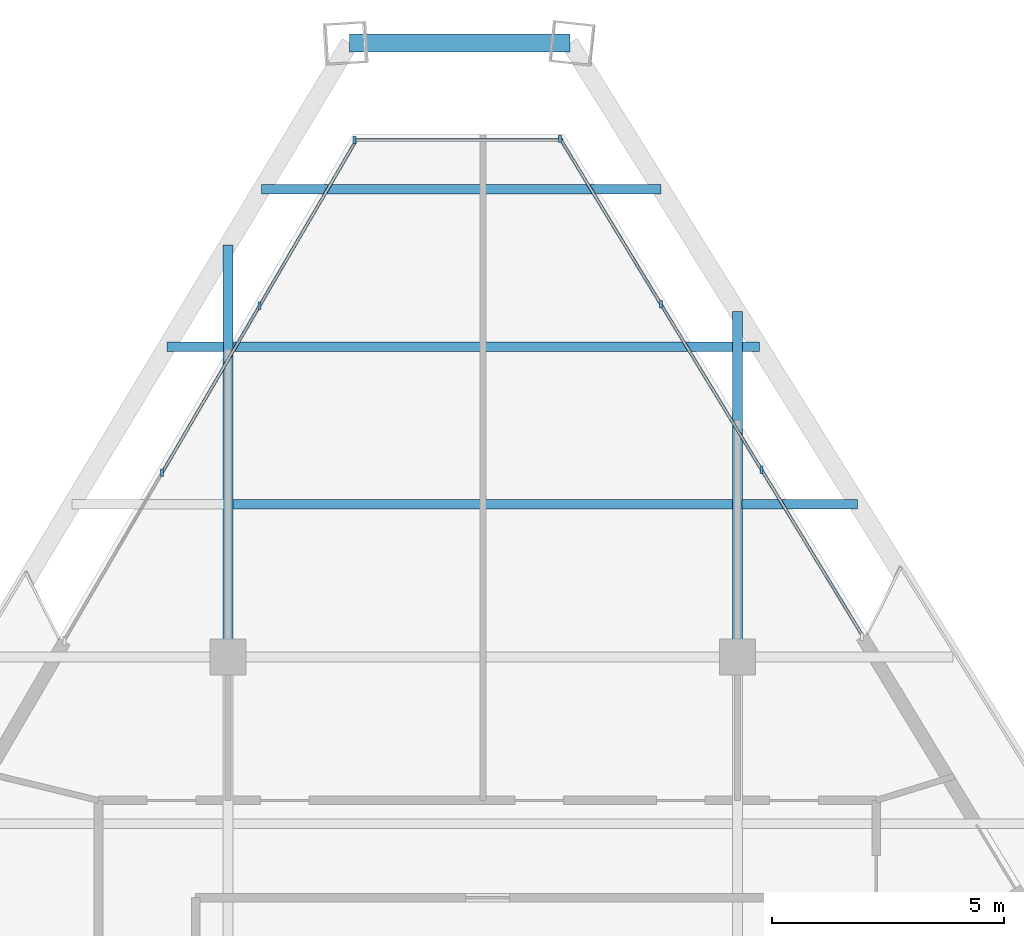
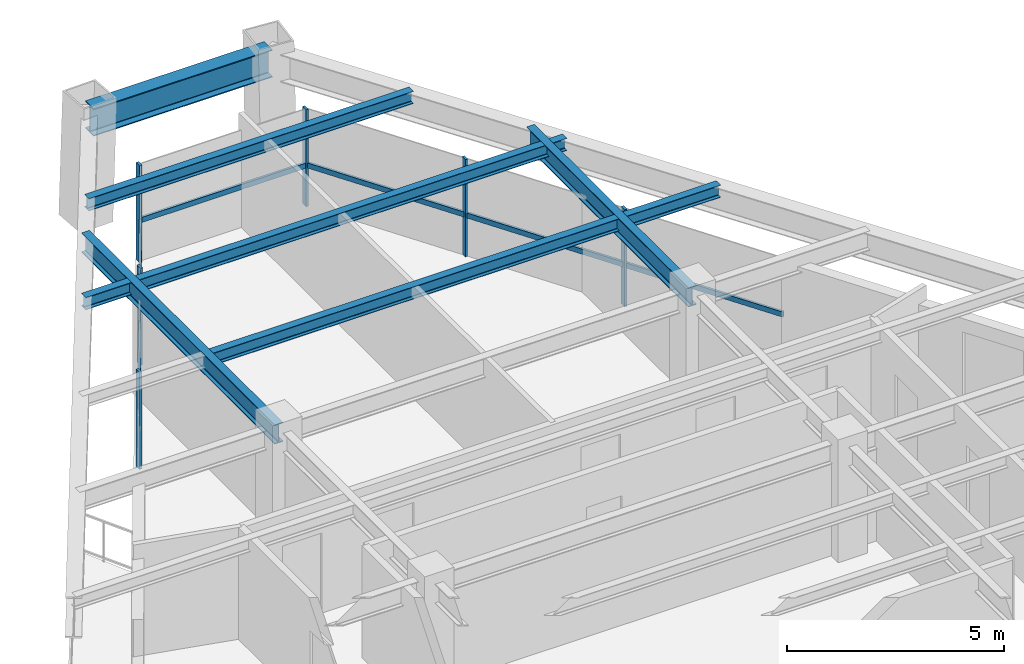
# One storey, part 7 of 13: 12 members, 8 beams, 3 elements without a shape of their own.
"""IFC4 building model written with IfcOpenShell, lengths in metres."""

from ifc_helpers import new_model, si_unit, direction, frame, origin, origin_2d, place, context, subcontext, project, spatial, rectangle, i_section, extrude, source, transform, mapped, material, material_profile, profile_set, type_object, element, aggregate, save


model = new_model("IFC4")

# Units and contexts
model_context = context("Model", 3, precision=1e-05, world=origin(), true_north=direction((0.0, 1.0)))
body_context = subcontext(model_context, "Body", "Model", "MODEL_VIEW")
ifc_project = project(units=[si_unit("LENGTHUNIT", "METRE"), si_unit("AREAUNIT", "SQUARE_METRE"), si_unit("VOLUMEUNIT", "CUBIC_METRE"), si_unit("PLANEANGLEUNIT", "RADIAN"), si_unit("MASSUNIT", "GRAM", prefix="KILO")], contexts=[model_context])

# Site, building, storey
site_placement = place(None, origin())
site = spatial("IfcSite", under=ifc_project, at=site_placement, CompositionType="ELEMENT")
building_placement = place(site_placement, origin())
building = spatial("IfcBuilding", under=site, at=building_placement, Name="Varnakhor Terracotta Tower", CompositionType="ELEMENT")
storey_placement = place(building_placement, frame((0.0, 0.0, 254.5)))
storey = spatial("IfcBuildingStorey", under=building, at=storey_placement, Name="L66", CompositionType="ELEMENT", Elevation=254.5)

# Beams
ifc_material_1 = material(Name="Steel S355", Category="steel")
ifc_material_profile_1 = material_profile(ifc_material_1, i_section(OverallWidth=0.202880859375, OverallDepth=0.346923828125, WebThickness=0.0078125, FlangeThickness=0.013427734375, FilletRadius=0.01806640625, at=origin_2d()), Name="W14X43")
ifc_profile_set_1 = profile_set([ifc_material_profile_1], Name="Steel S355")
beam_type_1 = type_object("IfcBeamType", Name="JST-W14X43", PredefinedType="JOIST", material=ifc_profile_set_1)
shared_shape_1 = source(origin(), body_context, "Body", "SweptSolid", [
    extrude(i_section(OverallWidth=0.202880859375, OverallDepth=0.346923828125, WebThickness=0.0078125, FlangeThickness=0.013427734375, FilletRadius=0.01806640625, at=origin_2d()), origin(), (0.0, 0.0, 1.0), 10.7939453125),
])
beam_1_placement = place(storey_placement, frame((-5.39697265625, 34.800048828125, 2.9765625), z_axis=(1.0, 0.0, 0.0), x_axis=(0.0, 1.0, 0.0)))
element("IfcBeam", 1, at=beam_1_placement, inside=storey, type_object=beam_type_1, Name="L66 Composite Floor Joist 7-2", PredefinedType="JOIST", context=body_context, shape_type="MappedRepresentation", body=[
    mapped(shared_shape_1, transform((0.0, 0.0, 0.0), scale=1.0)),
])
ifc_material_profile_2 = material_profile(ifc_material_1, i_section(OverallWidth=0.381103515625, OverallDepth=0.77294921875, WebThickness=0.01708984375, FlangeThickness=0.027099609375, FilletRadius=0.01806640625, at=origin_2d()), Name="W30X173")
ifc_profile_set_2 = profile_set([ifc_material_profile_2], Name="Steel S355")
beam_type_2 = type_object("IfcBeamType", Name="BM-W30X173", PredefinedType="BEAM", material=ifc_profile_set_2)
shared_shape_2 = source(origin(), body_context, "Body", "SweptSolid", [
    extrude(i_section(OverallWidth=0.381103515625, OverallDepth=0.77294921875, WebThickness=0.01708984375, FlangeThickness=0.027099609375, FilletRadius=0.01806640625, at=origin_2d()), origin(), (0.0, 0.0, 1.0), 4.752685546875),
])
beam_2_placement = place(storey_placement, frame((1.879150390625, 44.7587890625, 2.763427734375), z_axis=(-1.0, 0.0, 0.0), x_axis=(0.0, -1.0, 0.0)))
element("IfcBeam", 2, at=beam_2_placement, inside=storey, type_object=beam_type_2, Name="L66 Perimeter Spandrel 5", PredefinedType="BEAM", context=body_context, shape_type="MappedRepresentation", body=[
    mapped(shared_shape_2, transform((0.0, 0.0, 0.0), scale=1.0)),
])
ifc_material_profile_3 = material_profile(ifc_material_1, i_section(OverallWidth=0.214111328125, OverallDepth=0.549072265625, WebThickness=0.014892578125, FlangeThickness=0.02392578125, FilletRadius=0.01806640625, at=origin_2d()), Name="W21X93")
ifc_profile_set_3 = profile_set([ifc_material_profile_3], Name="Steel S355")
beam_type_3 = type_object("IfcBeamType", Name="BM-W21X93", PredefinedType="BEAM", material=ifc_profile_set_3)
shared_shape_3 = source(origin(), body_context, "Body", "SweptSolid", [
    extrude(i_section(OverallWidth=0.214111328125, OverallDepth=0.549072265625, WebThickness=0.014892578125, FlangeThickness=0.02392578125, FilletRadius=0.01806640625, at=origin_2d()), origin(), (0.0, 0.0, 1.0), 8.8974609375),
])
beam_3_placement = place(storey_placement, frame((-5.5, 31.5, 2.87548828125), z_axis=(0.0, 1.0, 0.0), x_axis=(-1.0, 0.0, 0.0)))
element("IfcBeam", 3, at=beam_3_placement, inside=storey, type_object=beam_type_3, Name="L66 Primary Girder NS3-W", PredefinedType="BEAM", context=body_context, shape_type="MappedRepresentation", body=[
    mapped(shared_shape_3, transform((0.0, 0.0, 0.0), scale=1.0)),
])
shared_shape_4 = source(origin(), body_context, "Body", "SweptSolid", [
    extrude(i_section(OverallWidth=0.214111328125, OverallDepth=0.549072265625, WebThickness=0.014892578125, FlangeThickness=0.02392578125, FilletRadius=0.01806640625, at=origin_2d()), origin(), (0.0, 0.0, 1.0), 7.459716796875),
])
beam_4_placement = place(storey_placement, frame((5.5, 31.5, 2.87548828125), z_axis=(0.0, 1.0, 0.0), x_axis=(-1.0, 0.0, 0.0)))
element("IfcBeam", 4, at=beam_4_placement, inside=storey, type_object=beam_type_3, Name="L66 Primary Girder NS3-E", PredefinedType="BEAM", context=body_context, shape_type="MappedRepresentation", body=[
    mapped(shared_shape_4, transform((0.0, 0.0, 0.0), scale=1.0)),
])
shared_shape_5 = source(origin(), body_context, "Body", "SweptSolid", [
    extrude(i_section(OverallWidth=0.202880859375, OverallDepth=0.346923828125, WebThickness=0.0078125, FlangeThickness=0.013427734375, FilletRadius=0.01806640625, at=origin_2d()), origin(), (0.0, 0.0, 1.0), 2.494384765625),
])
beam_5_placement = place(storey_placement, frame((5.60302734375, 34.800048828125, 2.9765625), z_axis=(1.0, 0.0, 0.0), x_axis=(0.0, 1.0, 0.0)))
element("IfcBeam", 5, at=beam_5_placement, inside=storey, type_object=beam_type_1, Name="L66 Composite Floor Joist 7-3", PredefinedType="JOIST", context=body_context, shape_type="MappedRepresentation", body=[
    mapped(shared_shape_5, transform((0.0, 0.0, 0.0), scale=1.0)),
])
shared_shape_6 = source(origin(), body_context, "Body", "SweptSolid", [
    extrude(i_section(OverallWidth=0.202880859375, OverallDepth=0.346923828125, WebThickness=0.0078125, FlangeThickness=0.013427734375, FilletRadius=0.01806640625, at=origin_2d()), origin(), (0.0, 0.0, 1.0), 1.22021484375),
])
beam_6_placement = place(storey_placement, frame((-6.8232421875, 38.199951171875, 2.9765625), z_axis=(1.0, 0.0, 0.0), x_axis=(0.0, 1.0, 0.0)))
element("IfcBeam", 6, at=beam_6_placement, inside=storey, type_object=beam_type_1, Name="L66 Composite Floor Joist 8-1", PredefinedType="JOIST", context=body_context, shape_type="MappedRepresentation", body=[
    mapped(shared_shape_6, transform((0.0, 0.0, 0.0), scale=1.0)),
])
shared_shape_7 = source(origin(), body_context, "Body", "SweptSolid", [
    extrude(i_section(OverallWidth=0.202880859375, OverallDepth=0.346923828125, WebThickness=0.0078125, FlangeThickness=0.013427734375, FilletRadius=0.01806640625, at=origin_2d()), origin(), (0.0, 0.0, 1.0), 11.371337890625),
])
beam_7_placement = place(storey_placement, frame((-5.39697265625, 38.199951171875, 2.9765625), z_axis=(1.0, 0.0, 0.0), x_axis=(0.0, 1.0, 0.0)))
element("IfcBeam", 7, at=beam_7_placement, inside=storey, type_object=beam_type_1, Name="L66 Composite Floor Joist 8-2", PredefinedType="JOIST", context=body_context, shape_type="MappedRepresentation", body=[
    mapped(shared_shape_7, transform((0.0, 0.0, 0.0), scale=1.0)),
])
shared_shape_8 = source(origin(), body_context, "Body", "SweptSolid", [
    extrude(i_section(OverallWidth=0.202880859375, OverallDepth=0.346923828125, WebThickness=0.0078125, FlangeThickness=0.013427734375, FilletRadius=0.01806640625, at=origin_2d()), origin(), (0.0, 0.0, 1.0), 8.62744140625),
])
beam_8_placement = place(storey_placement, frame((-4.77587890625, 41.60009765625, 2.9765625), z_axis=(1.0, 0.0, 0.0), x_axis=(0.0, 1.0, 0.0)))
element("IfcBeam", 8, at=beam_8_placement, inside=storey, type_object=beam_type_1, Name="L66 Composite Floor Joist 9-1", PredefinedType="JOIST", context=body_context, shape_type="MappedRepresentation", body=[
    mapped(shared_shape_8, transform((0.0, 0.0, 0.0), scale=1.0)),
])

# Curtain wall, members
ifc_material_2 = material(Name="Anodised Aluminium Curtain Wall System", Category="aluminium")
curtain_wall_type = type_object("IfcCurtainWallType", Name="CW-SYS-HOTEL-LOGGIA", PredefinedType="NOTDEFINED", material=ifc_material_2)
curtain_wall_1_placement = place(storey_placement, origin())
curtain_wall_1 = element("IfcCurtainWall", 9, at=curtain_wall_1_placement, inside=storey, type_object=curtain_wall_type, Name="L66 W Facet Curtain Wall 2", PredefinedType="NOTDEFINED")
ifc_material_3 = material(Name="Anodised Aluminium 6063-T6", Category="aluminium")
ifc_material_profile_4 = material_profile(ifc_material_3, rectangle(XDim=0.06494140625, YDim=0.159912109375, at=origin_2d()), Name="ALU MULLION 65x160")
ifc_profile_set_4 = profile_set([ifc_material_profile_4], Name="Anodised Aluminium 6063-T6")
member_type_1 = type_object("IfcMemberType", Name="CWM-04", PredefinedType="MULLION", material=ifc_profile_set_4)
shared_shape_9 = source(origin(), body_context, "Body", "SweptSolid", [
    extrude(rectangle(XDim=0.06494140625, YDim=0.159912109375, at=origin_2d()), origin(), (0.0, 0.0, 1.0), 2.72998046875),
])
member_1_placement = place(storey_placement, frame((-6.926513671875, 35.474365234375, 0.0), z_axis=(0.0, 0.0, 1.0), x_axis=(1.0, 0.0, 0.0)))
member_1 = element("IfcMember", 10, at=member_1_placement, type_object=member_type_1, Name="L66 W Facet Curtain Wall 2 Mullion 2", PredefinedType="MULLION", context=body_context, shape_type="MappedRepresentation", body=[
    mapped(shared_shape_9, transform((0.0, 0.0, 0.0), scale=1.0)),
])
member_2_placement = place(storey_placement, frame((-4.819091796875, 39.083251953125, 0.0), z_axis=(0.0, 0.0, 1.0), x_axis=(1.0, 0.0, 0.0)))
member_2 = element("IfcMember", 11, at=member_2_placement, type_object=member_type_1, Name="L66 W Facet Curtain Wall 2 Mullion 3", PredefinedType="MULLION", context=body_context, shape_type="MappedRepresentation", body=[
    mapped(shared_shape_9, transform((0.0, 0.0, 0.0), scale=1.0)),
])

# Curtain wall, member
curtain_wall_2_placement = place(storey_placement, origin())
curtain_wall_2 = element("IfcCurtainWall", 12, at=curtain_wall_2_placement, inside=storey, type_object=curtain_wall_type, Name="L66 Facet Curtain Wall 2", PredefinedType="NOTDEFINED")
member_3_placement = place(storey_placement, frame((-2.7705078125, 42.65869140625, 0.0), z_axis=(0.0, 0.0, 1.0), x_axis=(1.0, 0.0, 0.0)))
member_3 = element("IfcMember", 13, at=member_3_placement, type_object=member_type_1, Name="L66 Facet Curtain Wall 2 Mullion 1", PredefinedType="MULLION", context=body_context, shape_type="MappedRepresentation", body=[
    mapped(shared_shape_9, transform((0.0, 0.0, 0.0), scale=1.0)),
])

# Curtain wall, members
curtain_wall_3_placement = place(storey_placement, origin())
curtain_wall_3 = element("IfcCurtainWall", 14, at=curtain_wall_3_placement, inside=storey, type_object=curtain_wall_type, Name="L66 E Facet Curtain Wall 1", PredefinedType="NOTDEFINED")
member_4_placement = place(storey_placement, frame((1.672119140625, 42.690673828125, 0.0), z_axis=(0.0, 0.0, 1.0), x_axis=(1.0, 0.0, 0.0)))
member_4 = element("IfcMember", 15, at=member_4_placement, type_object=member_type_1, Name="L66 E Facet Curtain Wall 1 Mullion 1", PredefinedType="MULLION", context=body_context, shape_type="MappedRepresentation", body=[
    mapped(shared_shape_9, transform((0.0, 0.0, 0.0), scale=1.0)),
])
member_5_placement = place(storey_placement, frame((3.845947265625, 39.11669921875, 0.0), z_axis=(0.0, 0.0, 1.0), x_axis=(1.0, 0.0, 0.0)))
member_5 = element("IfcMember", 16, at=member_5_placement, type_object=member_type_1, Name="L66 E Facet Curtain Wall 1 Mullion 2", PredefinedType="MULLION", context=body_context, shape_type="MappedRepresentation", body=[
    mapped(shared_shape_9, transform((0.0, 0.0, 0.0), scale=1.0)),
])
member_6_placement = place(storey_placement, frame((6.01953125, 35.54296875, 0.0), z_axis=(0.0, 0.0, 1.0), x_axis=(1.0, 0.0, 0.0)))
member_6 = element("IfcMember", 17, at=member_6_placement, type_object=member_type_1, Name="L66 E Facet Curtain Wall 1 Mullion 3", PredefinedType="MULLION", context=body_context, shape_type="MappedRepresentation", body=[
    mapped(shared_shape_9, transform((0.0, 0.0, 0.0), scale=1.0)),
])

# Member
ifc_material_profile_5 = material_profile(ifc_material_3, rectangle(XDim=0.06494140625, YDim=0.14501953125, at=origin_2d()), Name="ALU TRANSOM 65x145")
ifc_profile_set_5 = profile_set([ifc_material_profile_5], Name="Anodised Aluminium 6063-T6")
member_type_2 = type_object("IfcMemberType", Name="CWT-04", PredefinedType="USERDEFINED", material=ifc_profile_set_5)
shared_shape_10 = source(origin(), body_context, "Body", "SweptSolid", [
    extrude(rectangle(XDim=0.06494140625, YDim=0.14501953125, at=origin_2d()), origin(), (0.0, 0.0, 1.0), 4.17919921875),
])
member_7_placement = place(storey_placement, frame((-6.926513671875, 35.474365234375, 1.146484375), z_axis=(0.504270519444, 0.863545738927, 0.0), x_axis=(-0.863545738927, 0.504270519444, 0.0)))
member_7 = element("IfcMember", 18, at=member_7_placement, type_object=member_type_2, Name="L66 W Facet Curtain Wall 2 Transom 2", ObjectType="TRANSOM", PredefinedType="USERDEFINED", context=body_context, shape_type="MappedRepresentation", body=[
    mapped(shared_shape_10, transform((0.0, 0.0, 0.0), scale=1.0)),
])

member_8_placement = place(storey_placement, frame((-4.819091796875, 39.083251953125, 1.146484375), z_axis=(0.504201516714, 0.863586029613, 0.0), x_axis=(-0.863586029613, 0.504201516714, 0.0)))
member_8 = element("IfcMember", 19, at=member_8_placement, type_object=member_type_2, Name="L66 W Facet Curtain Wall 2 Transom 3", ObjectType="TRANSOM", PredefinedType="USERDEFINED", context=body_context, shape_type="MappedRepresentation", body=[
    mapped(shared_shape_10, transform((0.0, 0.0, 0.0), scale=1.0)),
])

aggregate(curtain_wall_1, [member_1, member_7, member_2, member_8])

shared_shape_11 = source(origin(), body_context, "Body", "SweptSolid", [
    extrude(rectangle(XDim=0.06494140625, YDim=0.14501953125, at=origin_2d()), origin(), (0.0, 0.0, 1.0), 4.49951171875),
])
member_9_placement = place(storey_placement, frame((-2.7705078125, 42.65869140625, 1.146484375), z_axis=(1.0, 0.0, 0.0), x_axis=(0.0, 1.0, 0.0)))
member_9 = element("IfcMember", 20, at=member_9_placement, type_object=member_type_2, Name="L66 Facet Curtain Wall 2 Transom 1", ObjectType="TRANSOM", PredefinedType="USERDEFINED", context=body_context, shape_type="MappedRepresentation", body=[
    mapped(shared_shape_11, transform((0.0, 0.0, 0.0), scale=1.0)),
])

aggregate(curtain_wall_2, [member_3, member_9])

shared_shape_12 = source(origin(), body_context, "Body", "SweptSolid", [
    extrude(rectangle(XDim=0.06494140625, YDim=0.14501953125, at=origin_2d()), origin(), (0.0, 0.0, 1.0), 4.18310546875),
])
member_10_placement = place(storey_placement, frame((1.672119140625, 42.690673828125, 1.146484375), z_axis=(0.519661785784, -0.854372066722, 0.0), x_axis=(0.854372066722, 0.519661785784, 0.0)))
member_10 = element("IfcMember", 21, at=member_10_placement, type_object=member_type_2, Name="L66 E Facet Curtain Wall 1 Transom 1", ObjectType="TRANSOM", PredefinedType="USERDEFINED", context=body_context, shape_type="MappedRepresentation", body=[
    mapped(shared_shape_12, transform((0.0, 0.0, 0.0), scale=1.0)),
])

member_11_placement = place(storey_placement, frame((6.01953125, 35.54296875, 1.146484375), z_axis=(0.519661785784, -0.854372066722, 0.0), x_axis=(0.854372066722, 0.519661785784, 0.0)))
member_11 = element("IfcMember", 22, at=member_11_placement, type_object=member_type_2, Name="L66 E Facet Curtain Wall 1 Transom 3", ObjectType="TRANSOM", PredefinedType="USERDEFINED", context=body_context, shape_type="MappedRepresentation", body=[
    mapped(shared_shape_12, transform((0.0, 0.0, 0.0), scale=1.0)),
])

shared_shape_13 = source(origin(), body_context, "Body", "SweptSolid", [
    extrude(rectangle(XDim=0.06494140625, YDim=0.14501953125, at=origin_2d()), origin(), (0.0, 0.0, 1.0), 4.182861328125),
])
member_12_placement = place(storey_placement, frame((3.845947265625, 39.11669921875, 1.146484375), z_axis=(0.519645094524, -0.854382218762, 0.0), x_axis=(0.854382218762, 0.519645094524, 0.0)))
member_12 = element("IfcMember", 23, at=member_12_placement, type_object=member_type_2, Name="L66 E Facet Curtain Wall 1 Transom 2", ObjectType="TRANSOM", PredefinedType="USERDEFINED", context=body_context, shape_type="MappedRepresentation", body=[
    mapped(shared_shape_13, transform((0.0, 0.0, 0.0), scale=1.0)),
])

aggregate(curtain_wall_3, [member_4, member_10, member_5, member_12, member_6, member_11])

save(model, "model.ifc")
